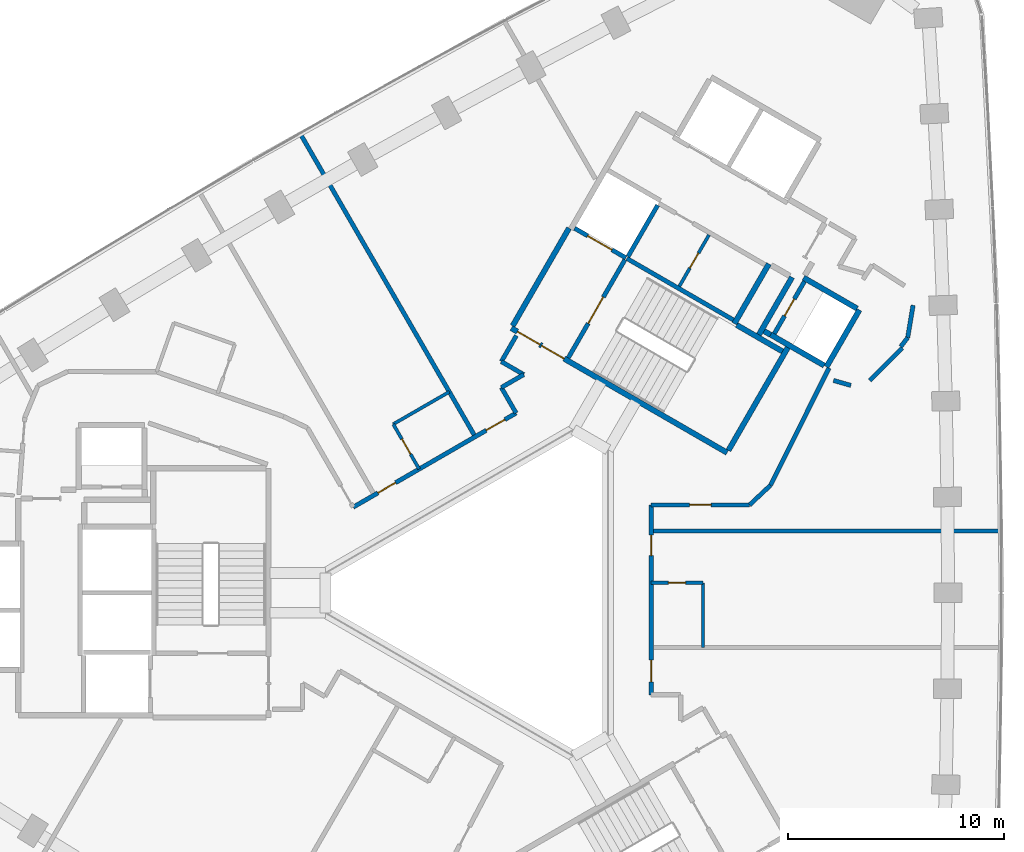
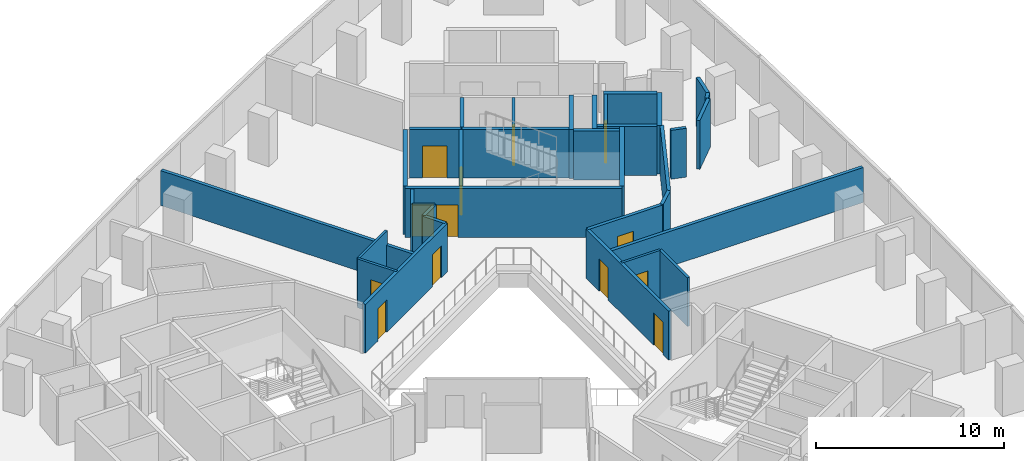
# One storey, part 10 of 12: 35 walls, 13 doors, 13 openings.
"""IFC4 building model written with IfcOpenShell, lengths in metres."""

from ifc_helpers import new_model, si_unit, direction, frame, frame_2d, origin, place, context, subcontext, project, spatial, rectangle, extrude, material, layer, layer_set, type_object, element, fill, save


model = new_model("IFC4")

# Units and contexts
model_context = context("Model", 3, precision=1e-05, world=origin(), true_north=direction((0.0, 1.0)))
body_context = subcontext(model_context, "Body", "Model", "MODEL_VIEW")
ifc_project = project(units=[si_unit("LENGTHUNIT", "METRE"), si_unit("AREAUNIT", "SQUARE_METRE"), si_unit("VOLUMEUNIT", "CUBIC_METRE"), si_unit("PLANEANGLEUNIT", "RADIAN"), si_unit("MASSUNIT", "GRAM", prefix="KILO")], contexts=[model_context])

# Site, building, storey
site_placement = place(None, origin())
site = spatial("IfcSite", under=ifc_project, at=site_placement, CompositionType="ELEMENT")
building_placement = place(site_placement, origin())
building = spatial("IfcBuilding", under=site, at=building_placement, Name="Tamra Quay Hotel Tower", CompositionType="ELEMENT")
storey_placement = place(building_placement, frame((0.0, 0.0, 93.800048828125)))
storey = spatial("IfcBuildingStorey", under=building, at=storey_placement, Name="L22", CompositionType="ELEMENT", Elevation=93.800048828125)

# Wall
ifc_material_1 = material(Name="Concrete M70", Category="concrete")
ifc_layer_1 = layer(ifc_material_1, 0.199951171875)
ifc_layer_set_1 = layer_set([ifc_layer_1], Name="Concrete M70 core wall 200")
wall_type_1 = type_object("IfcWallType", Name="Concrete M70 core wall 200", PredefinedType="SHEAR", material=ifc_layer_set_1)
wall_1_placement = place(storey_placement, frame((5.774658203125, 15.501953125, 0.0), z_axis=(0.0, 0.0, 1.0), x_axis=(0.866020080793, -0.500009219579, 0.0)))
element("IfcWall", 1, at=wall_1_placement, inside=storey, type_object=wall_type_1, Name="CW2", PredefinedType="SHEAR", context=body_context, shape_type="SweptSolid", body=[
    extrude(rectangle(XDim=5.69921875, YDim=0.199951171875, at=frame_2d((2.849609375, 0.0))), origin(), (0.0, 0.0, 1.0), 3.175048828125),
])

# Wall, opening, door
wall_2_placement = place(storey_placement, frame((3.056640625, 10.89453125, 0.0), z_axis=(0.0, 0.0, 1.0), x_axis=(0.499989418164, 0.866031513124, 0.0)))
wall_2 = element("IfcWall", 2, at=wall_2_placement, inside=storey, type_object=wall_type_1, Name="CW2", PredefinedType="SHEAR", context=body_context, shape_type="SweptSolid", body=[
    extrude(rectangle(XDim=5.2509765625, YDim=0.199951171875, at=frame_2d((2.62548828125, 0.0))), origin(), (0.0, 0.0, 1.0), 3.175048828125),
])
opening_1_placement = place(wall_2_placement, frame((1.84912109375, 0.0, 0.0)))
opening_1 = element("IfcOpeningElement", 3, at=opening_1_placement, cuts=wall_2, Name="Opening FD2", PredefinedType="OPENING", context=body_context, shape_type="SweptSolid", body=[
    extrude(rectangle(XDim=1.39990234375, YDim=2.10009765625, at=frame_2d((0.699951171875, 1.050048828125))), frame((0.0, 0.10986328125, 0.0), z_axis=(0.0, -1.0, 0.0), x_axis=(1.0, 0.0, 0.0)), (0.0, 0.0, 1.0), 0.219970703125),
])
ifc_material_2 = material(Name="Core door FD2 1400x2100 LH")
door_type_1 = type_object("IfcDoorType", Name="Core door FD2 1400x2100 LH", OperationType="NOTDEFINED", PredefinedType="DOOR", material=ifc_material_2)
door_1_placement = place(opening_1_placement, origin())
door_1 = element("IfcDoor", 4, at=door_1_placement, inside=storey, type_object=door_type_1, Name="FD2", OperationType="SINGLE_SWING_LEFT", OverallHeight=2.10009765625, OverallWidth=1.39990234375, PredefinedType="DOOR", context=body_context, shape_type="SweptSolid", body=[
    extrude(rectangle(XDim=1.39990234375, YDim=2.10009765625, at=frame_2d((0.699951171875, 1.050048828125))), frame((0.0, 0.02490234375, 0.0), z_axis=(0.0, -1.0, 0.0), x_axis=(1.0, 0.0, 0.0)), (0.0, 0.0, 1.0), 0.050048828125),
])
fill(opening_1, door_1)

wall_3_placement = place(storey_placement, frame((14.0078125, 14.442138671875, 0.0), z_axis=(0.0, 0.0, 1.0), x_axis=(-0.499986818241, -0.866033014143, 0.0)))
wall_3 = element("IfcWall", 5, at=wall_3_placement, inside=storey, type_object=wall_type_1, Name="CW2", PredefinedType="SHEAR", context=body_context, shape_type="SweptSolid", body=[
    extrude(rectangle(XDim=2.7978515625, YDim=0.199951171875, at=frame_2d((1.39892578125, 0.0))), origin(), (0.0, 0.0, 1.0), 3.175048828125),
])
opening_2_placement = place(wall_3_placement, frame((0.948974609375, 0.0, 0.0)))
opening_2 = element("IfcOpeningElement", 6, at=opening_2_placement, cuts=wall_3, Name="Opening D1", PredefinedType="OPENING", context=body_context, shape_type="SweptSolid", body=[
    extrude(rectangle(XDim=0.89990234375, YDim=2.10009765625, at=frame_2d((0.449951171875, 1.050048828125))), frame((0.0, 0.10986328125, 0.0), z_axis=(0.0, -1.0, 0.0), x_axis=(1.0, 0.0, 0.0)), (0.0, 0.0, 1.0), 0.219970703125),
])
ifc_material_3 = material(Name="Core door D1 900x2100 LH")
door_type_2 = type_object("IfcDoorType", Name="Core door D1 900x2100 LH", OperationType="NOTDEFINED", PredefinedType="DOOR", material=ifc_material_3)
door_2_placement = place(opening_2_placement, origin())
door_2 = element("IfcDoor", 7, at=door_2_placement, inside=storey, type_object=door_type_2, Name="D1", OperationType="SINGLE_SWING_LEFT", OverallHeight=2.10009765625, OverallWidth=0.89990234375, PredefinedType="DOOR", context=body_context, shape_type="SweptSolid", body=[
    extrude(rectangle(XDim=0.89990234375, YDim=2.10009765625, at=frame_2d((0.449951171875, 1.050048828125))), frame((0.0, 0.02490234375, 0.0), z_axis=(0.0, -1.0, 0.0), x_axis=(1.0, 0.0, 0.0)), (0.0, 0.0, 1.0), 0.050048828125),
])
fill(opening_2, door_2)

# Wall
wall_4_placement = place(storey_placement, frame((7.199462890625, 17.969970703125, 0.0), z_axis=(0.0, 0.0, 1.0), x_axis=(-0.499968400327, -0.866043647095, 0.0)))
element("IfcWall", 8, at=wall_4_placement, inside=storey, type_object=wall_type_1, Name="CW2", PredefinedType="SHEAR", context=body_context, shape_type="SweptSolid", body=[
    extrude(rectangle(XDim=2.749755859375, YDim=0.199951171875, at=frame_2d((1.375, 0.0))), origin(), (0.0, 0.0, 1.0), 3.175048828125),
])

# Wall, opening, door
wall_5_placement = place(storey_placement, frame((5.72509765625, 15.530517578125, 0.0), z_axis=(0.0, 0.0, 1.0), x_axis=(-0.866037306777, 0.499979382845, 0.0)))
wall_5 = element("IfcWall", 9, at=wall_5_placement, inside=storey, type_object=wall_type_1, Name="CW2", PredefinedType="SHEAR", context=body_context, shape_type="SweptSolid", body=[
    extrude(rectangle(XDim=2.74169921875, YDim=0.199951171875, at=frame_2d((1.370849609375, 0.0))), origin(), (0.0, 0.0, 1.0), 3.175048828125),
])
opening_3_placement = place(wall_5_placement, frame((0.742919921875, 0.0, 0.0)))
opening_3 = element("IfcOpeningElement", 10, at=opening_3_placement, cuts=wall_5, Name="Opening LD", PredefinedType="OPENING", context=body_context, shape_type="SweptSolid", body=[
    extrude(rectangle(XDim=1.300048828125, YDim=2.10009765625, at=frame_2d((0.64990234375, 1.050048828125))), frame((0.0, 0.10986328125, 0.0), z_axis=(0.0, -1.0, 0.0), x_axis=(1.0, 0.0, 0.0)), (0.0, 0.0, 1.0), 0.219970703125),
])
ifc_material_4 = material(Name="Landing door LD 1300 sliding to left")
door_type_3 = type_object("IfcDoorType", Name="Landing door LD 1300 sliding to left", OperationType="NOTDEFINED", PredefinedType="DOOR", material=ifc_material_4)
door_3_placement = place(opening_3_placement, origin())
door_3 = element("IfcDoor", 11, at=door_3_placement, inside=storey, type_object=door_type_3, Name="LD", OperationType="SLIDING_TO_LEFT", OverallHeight=2.10009765625, OverallWidth=1.300048828125, PredefinedType="DOOR", context=body_context, shape_type="SweptSolid", body=[
    extrude(rectangle(XDim=1.300048828125, YDim=2.10009765625, at=frame_2d((0.64990234375, 1.050048828125))), frame((0.0, 0.02490234375, 0.0), z_axis=(0.0, -1.0, 0.0), x_axis=(1.0, 0.0, 0.0)), (0.0, 0.0, 1.0), 0.050048828125),
])
fill(opening_3, door_3)

# Wall, openings, doors
ifc_layer_2 = layer(ifc_material_1, 0.25)
ifc_layer_set_2 = layer_set([ifc_layer_2], Name="Concrete M70 core wall 250")
wall_type_2 = type_object("IfcWallType", Name="Concrete M70 core wall 250", PredefinedType="SHEAR", material=ifc_layer_set_2)
wall_6_placement = place(storey_placement, frame((10.419921875, 6.497802734375, 0.0), z_axis=(0.0, 0.0, 1.0), x_axis=(-0.866021906294, 0.500006057782, 0.0)))
wall_6 = element("IfcWall", 12, at=wall_6_placement, inside=storey, type_object=wall_type_2, Name="CW1", PredefinedType="SHEAR", context=body_context, shape_type="SweptSolid", body=[
    extrude(rectangle(XDim=11.550048828125, YDim=0.25, at=frame_2d((5.77490234375, 0.0))), origin(), (0.0, 0.0, 1.0), 3.175048828125),
])
opening_4_placement = place(wall_6_placement, frame((10.02490234375, 0.0, 0.0)))
opening_4 = element("IfcOpeningElement", 13, at=opening_4_placement, cuts=wall_6, Name="Opening FD1", PredefinedType="OPENING", context=body_context, shape_type="SweptSolid", body=[
    extrude(rectangle(XDim=1.199951171875, YDim=2.10009765625, at=frame_2d((0.60009765625, 1.050048828125))), frame((0.0, 0.135009765625, 0.0), z_axis=(0.0, -1.0, 0.0), x_axis=(1.0, 0.0, 0.0)), (0.0, 0.0, 1.0), 0.27001953125),
])
opening_5_placement = place(wall_6_placement, frame((8.724853515625, 0.0, 0.0)))
opening_5 = element("IfcOpeningElement", 14, at=opening_5_placement, cuts=wall_6, Name="Opening FD1", PredefinedType="OPENING", context=body_context, shape_type="SweptSolid", body=[
    extrude(rectangle(XDim=1.199951171875, YDim=2.10009765625, at=frame_2d((0.60009765625, 1.050048828125))), frame((0.0, 0.135009765625, 0.0), z_axis=(0.0, -1.0, 0.0), x_axis=(1.0, 0.0, 0.0)), (0.0, 0.0, 1.0), 0.27001953125),
])
ifc_material_5 = material(Name="Core door FD1 1200x2100 LH")
door_type_4 = type_object("IfcDoorType", Name="Core door FD1 1200x2100 LH", OperationType="NOTDEFINED", PredefinedType="DOOR", material=ifc_material_5)
door_4_placement = place(opening_4_placement, origin())
door_4 = element("IfcDoor", 15, at=door_4_placement, inside=storey, type_object=door_type_4, Name="FD1", OperationType="SINGLE_SWING_LEFT", OverallHeight=2.10009765625, OverallWidth=1.199951171875, PredefinedType="DOOR", context=body_context, shape_type="SweptSolid", body=[
    extrude(rectangle(XDim=1.199951171875, YDim=2.10009765625, at=frame_2d((0.60009765625, 1.050048828125))), frame((0.0, 0.02490234375, 0.0), z_axis=(0.0, -1.0, 0.0), x_axis=(1.0, 0.0, 0.0)), (0.0, 0.0, 1.0), 0.050048828125),
])
fill(opening_4, door_4)
ifc_material_6 = material(Name="Core door FD1 1200x2100 RH")
door_type_5 = type_object("IfcDoorType", Name="Core door FD1 1200x2100 RH", OperationType="NOTDEFINED", PredefinedType="DOOR", material=ifc_material_6)
door_5_placement = place(opening_5_placement, origin())
door_5 = element("IfcDoor", 16, at=door_5_placement, inside=storey, type_object=door_type_5, Name="FD1", OperationType="SINGLE_SWING_RIGHT", OverallHeight=2.10009765625, OverallWidth=1.199951171875, PredefinedType="DOOR", context=body_context, shape_type="SweptSolid", body=[
    extrude(rectangle(XDim=1.199951171875, YDim=2.10009765625, at=frame_2d((0.60009765625, 1.050048828125))), frame((0.0, 0.02490234375, 0.0), z_axis=(0.0, -1.0, 0.0), x_axis=(1.0, 0.0, 0.0)), (0.0, 0.0, 1.0), 0.050048828125),
])
fill(opening_5, door_5)

# Walls
wall_7_placement = place(storey_placement, frame((0.47998046875, 12.38134765625, 0.0), z_axis=(0.0, 0.0, 1.0), x_axis=(0.49999885962, 0.866026062182, 0.0)))
element("IfcWall", 17, at=wall_7_placement, inside=storey, type_object=wall_type_2, Name="CW1", PredefinedType="SHEAR", context=body_context, shape_type="SweptSolid", body=[
    extrude(rectangle(XDim=5.224609375, YDim=0.25, at=frame_2d((2.6123046875, 0.0))), origin(), (0.0, 0.0, 1.0), 3.175048828125),
])
wall_8_placement = place(storey_placement, frame((13.237548828125, 11.3779296875, 0.0), z_axis=(0.0, 0.0, 1.0), x_axis=(-0.500008851346, -0.866020293397, 0.0)))
element("IfcWall", 18, at=wall_8_placement, inside=storey, type_object=wall_type_2, Name="CW1", PredefinedType="SHEAR", context=body_context, shape_type="SweptSolid", body=[
    extrude(rectangle(XDim=5.509765625, YDim=0.25, at=frame_2d((2.7548828125, 0.0))), origin(), (0.0, 0.0, 1.0), 3.175048828125),
])
wall_9_placement = place(storey_placement, frame((12.356689453125, 15.25244140625, 0.0), z_axis=(0.0, 0.0, 1.0), x_axis=(-0.500028443584, -0.866008981251, 0.0)))
element("IfcWall", 19, at=wall_9_placement, inside=storey, type_object=wall_type_2, Name="CW1", PredefinedType="SHEAR", context=body_context, shape_type="SweptSolid", body=[
    extrude(rectangle(XDim=3.199951171875, YDim=0.25, at=frame_2d((1.60009765625, 0.0))), origin(), (0.0, 0.0, 1.0), 3.175048828125),
])
wall_10_placement = place(storey_placement, frame((16.552001953125, 13.118896484375, 0.0), z_axis=(0.0, 0.0, 1.0), x_axis=(-0.499978833458, -0.866037623948, 0.0)))
element("IfcWall", 20, at=wall_10_placement, inside=storey, type_object=wall_type_2, Name="CW1", PredefinedType="SHEAR", context=body_context, shape_type="SweptSolid", body=[
    extrude(rectangle(XDim=3.050048828125, YDim=0.25, at=frame_2d((1.52490234375, 0.0))), origin(), (0.0, 0.0, 1.0), 3.175048828125),
])
wall_11_placement = place(storey_placement, frame((14.91845703125, 10.540283203125, 0.0), z_axis=(0.0, 0.0, 1.0), x_axis=(-0.866063538972, 0.499933942099, 0.0)))
element("IfcWall", 21, at=wall_11_placement, inside=storey, type_object=wall_type_2, Name="CW1", PredefinedType="SHEAR", context=body_context, shape_type="SweptSolid", body=[
    extrude(rectangle(XDim=2.86474609375, YDim=0.25, at=frame_2d((1.432373046875, 0.0))), origin(), (0.0, 0.0, 1.0), 3.175048828125),
])
wall_12_placement = place(storey_placement, frame((13.962646484375, 14.61376953125, 0.0), z_axis=(0.0, 0.0, 1.0), x_axis=(0.866042235819, -0.499970844928, 0.0)))
element("IfcWall", 22, at=wall_12_placement, inside=storey, type_object=wall_type_2, Name="CW1", PredefinedType="SHEAR", context=body_context, shape_type="SweptSolid", body=[
    extrude(rectangle(XDim=2.864501953125, YDim=0.25, at=frame_2d((1.43212890625, 0.0))), origin(), (0.0, 0.0, 1.0), 3.175048828125),
])
wall_13_placement = place(storey_placement, frame((11.887939453125, 11.960693359375, 0.0), z_axis=(0.0, 0.0, 1.0), x_axis=(0.500003324108, 0.866023484601, 0.0)))
element("IfcWall", 23, at=wall_13_placement, inside=storey, type_object=wall_type_2, Name="CW1", PredefinedType="SHEAR", context=body_context, shape_type="SweptSolid", body=[
    extrude(rectangle(XDim=3.0849609375, YDim=0.25, at=frame_2d((1.54248046875, 0.0))), origin(), (0.0, 0.0, 1.0), 3.175048828125),
])
wall_14_placement = place(storey_placement, frame((10.865234375, 12.41845703125, 0.0), z_axis=(0.0, 0.0, 1.0), x_axis=(0.866026229868, -0.499998569178, 0.0)))
element("IfcWall", 24, at=wall_14_placement, inside=storey, type_object=wall_type_2, Name="CW1", PredefinedType="SHEAR", context=body_context, shape_type="SweptSolid", body=[
    extrude(rectangle(XDim=2.44921875, YDim=0.25, at=frame_2d((1.224609375, 0.0))), origin(), (0.0, 0.0, 1.0), 3.175048828125),
])
wall_15_placement = place(storey_placement, frame((12.4326171875, 11.9638671875, 0.0), z_axis=(0.0, 0.0, 1.0), x_axis=(-0.866055875208, 0.499947218231, 0.0)))
element("IfcWall", 25, at=wall_15_placement, inside=storey, type_object=wall_type_2, Name="CW1", PredefinedType="SHEAR", context=body_context, shape_type="SweptSolid", body=[
    extrude(rectangle(XDim=0.3447265625, YDim=0.25, at=frame_2d((0.17236328125, 0.0))), origin(), (0.0, 0.0, 1.0), 3.175048828125),
])

# Wall, opening, door
ifc_material_7 = material(Name="Blockwork", Category="masonry")
ifc_layer_3 = layer(ifc_material_7, 0.14990234375)
ifc_layer_set_3 = layer_set([ifc_layer_3], Name="Core partition block 150")
wall_type_3 = type_object("IfcWallType", Name="Core partition block 150", PredefinedType="PARTITIONING", material=ifc_layer_set_3)
wall_16_placement = place(storey_placement, frame((8.20654296875, 14.214111328125, 0.0), z_axis=(0.0, 0.0, 1.0), x_axis=(0.499922376475, 0.866070215109, 0.0)))
wall_16 = element("IfcWall", 26, at=wall_16_placement, inside=storey, type_object=wall_type_3, Name="CP1", PredefinedType="PARTITIONING", context=body_context, shape_type="SweptSolid", body=[
    extrude(rectangle(XDim=2.74853515625, YDim=0.14990234375, at=frame_2d((1.374267578125, 0.0))), origin(), (0.0, 0.0, 1.0), 3.175048828125),
])
opening_6_placement = place(wall_16_placement, frame((0.97412109375, 0.0, 0.0)))
opening_6 = element("IfcOpeningElement", 27, at=opening_6_placement, cuts=wall_16, Name="Opening D3", PredefinedType="OPENING", context=body_context, shape_type="SweptSolid", body=[
    extrude(rectangle(XDim=0.800048828125, YDim=2.10009765625, at=frame_2d((0.39990234375, 1.050048828125))), frame((0.0, 0.0849609375, 0.0), z_axis=(0.0, -1.0, 0.0), x_axis=(1.0, 0.0, 0.0)), (0.0, 0.0, 1.0), 0.169921875),
])
ifc_material_8 = material(Name="Core door D3 800x2100 RH")
door_type_6 = type_object("IfcDoorType", Name="Core door D3 800x2100 RH", OperationType="NOTDEFINED", PredefinedType="DOOR", material=ifc_material_8)
door_6_placement = place(opening_6_placement, origin())
door_6 = element("IfcDoor", 28, at=door_6_placement, inside=storey, type_object=door_type_6, Name="D3", OperationType="SINGLE_SWING_RIGHT", OverallHeight=2.10009765625, OverallWidth=0.800048828125, PredefinedType="DOOR", context=body_context, shape_type="SweptSolid", body=[
    extrude(rectangle(XDim=0.800048828125, YDim=2.10009765625, at=frame_2d((0.39990234375, 1.050048828125))), frame((0.0, 0.02490234375, 0.0), z_axis=(0.0, -1.0, 0.0), x_axis=(1.0, 0.0, 0.0)), (0.0, 0.0, 1.0), 0.050048828125),
])
fill(opening_6, door_6)

# Wall, openings, doors
ifc_material_9 = material(Name="Partition corridor wall")
ifc_layer_4 = layer(ifc_material_9, 0.199951171875)
ifc_layer_set_4 = layer_set([ifc_layer_4], Name="Partition corridor wall")
wall_type_4 = type_object("IfcWallType", Name="Partition corridor wall", PredefinedType="PARTITIONING", material=ifc_layer_set_4)
wall_17_placement = place(storey_placement, frame((-6.909912109375, 3.975341796875, 0.0), z_axis=(0.0, 0.0, 1.0), x_axis=(0.865912245405, 0.500195944863, 0.0)))
wall_17 = element("IfcWall", 29, at=wall_17_placement, inside=storey, type_object=wall_type_4, Name="W-C", PredefinedType="PARTITIONING", context=body_context, shape_type="SweptSolid", body=[
    extrude(rectangle(XDim=8.7177734375, YDim=0.199951171875, at=frame_2d((4.35888671875, 0.0))), origin(), (0.0, 0.0, 1.0), 3.175048828125),
])
opening_7_placement = place(wall_17_placement, frame((7.117431640625, 0.0, 0.0)))
opening_7 = element("IfcOpeningElement", 30, at=opening_7_placement, cuts=wall_17, Name="Opening L22-D005", PredefinedType="OPENING", context=body_context, shape_type="SweptSolid", body=[
    extrude(rectangle(XDim=1.0, YDim=2.10009765625, at=frame_2d((0.5, 1.050048828125))), frame((0.0, 0.10986328125, 0.0), z_axis=(0.0, -1.0, 0.0), x_axis=(1.0, 0.0, 0.0)), (0.0, 0.0, 1.0), 0.219970703125),
])
opening_8_placement = place(wall_17_placement, frame((1.31689453125, 0.0, 0.0)))
opening_8 = element("IfcOpeningElement", 31, at=opening_8_placement, cuts=wall_17, Name="Opening L22-D006", PredefinedType="OPENING", context=body_context, shape_type="SweptSolid", body=[
    extrude(rectangle(XDim=0.949951171875, YDim=2.10009765625, at=frame_2d((0.47509765625, 1.050048828125))), frame((0.0, 0.10986328125, 0.0), z_axis=(0.0, -1.0, 0.0), x_axis=(1.0, 0.0, 0.0)), (0.0, 0.0, 1.0), 0.219970703125),
])
ifc_material_10 = material(Name="Door guest room 1000x2100")
door_type_7 = type_object("IfcDoorType", Name="Door guest room 1000x2100", OperationType="NOTDEFINED", PredefinedType="DOOR", material=ifc_material_10)
door_7_placement = place(opening_7_placement, origin())
door_7 = element("IfcDoor", 32, at=door_7_placement, inside=storey, type_object=door_type_7, Name="L22-D005", OperationType="SINGLE_SWING_LEFT", OverallHeight=2.10009765625, OverallWidth=1.0, PredefinedType="DOOR", context=body_context, shape_type="SweptSolid", body=[
    extrude(rectangle(XDim=1.0, YDim=2.10009765625, at=frame_2d((0.5, 1.050048828125))), frame((0.0, 0.02490234375, 0.0), z_axis=(0.0, -1.0, 0.0), x_axis=(1.0, 0.0, 0.0)), (0.0, 0.0, 1.0), 0.050048828125),
])
fill(opening_7, door_7)
ifc_material_11 = material(Name="Door guest room 950x2100")
door_type_8 = type_object("IfcDoorType", Name="Door guest room 950x2100", OperationType="NOTDEFINED", PredefinedType="DOOR", material=ifc_material_11)
door_8_placement = place(opening_8_placement, origin())
door_8 = element("IfcDoor", 33, at=door_8_placement, inside=storey, type_object=door_type_8, Name="L22-D006", OperationType="SINGLE_SWING_LEFT", OverallHeight=2.10009765625, OverallWidth=0.949951171875, PredefinedType="DOOR", context=body_context, shape_type="SweptSolid", body=[
    extrude(rectangle(XDim=0.949951171875, YDim=2.10009765625, at=frame_2d((0.47509765625, 1.050048828125))), frame((0.0, 0.02490234375, 0.0), z_axis=(0.0, -1.0, 0.0), x_axis=(1.0, 0.0, 0.0)), (0.0, 0.0, 1.0), 0.050048828125),
])
fill(opening_8, door_8)

# Walls
wall_18_placement = place(storey_placement, frame((-0.044921875, 9.52099609375, 0.0), z_axis=(0.0, 0.0, 1.0), x_axis=(0.499804837697, -0.866138051476, 0.0)))
element("IfcWall", 34, at=wall_18_placement, inside=storey, type_object=wall_type_4, Name="W-C", PredefinedType="PARTITIONING", context=body_context, shape_type="SweptSolid", body=[
    extrude(rectangle(XDim=1.3681640625, YDim=0.199951171875, at=frame_2d((0.68408203125, 0.0))), origin(), (0.0, 0.0, 1.0), 3.175048828125),
])
wall_19_placement = place(storey_placement, frame((-0.044921875, 9.52197265625, 0.0), z_axis=(0.0, 0.0, 1.0), x_axis=(0.86625675314, 0.499599076899, 0.0)))
element("IfcWall", 35, at=wall_19_placement, inside=storey, type_object=wall_type_4, Name="W-C", PredefinedType="PARTITIONING", context=body_context, shape_type="SweptSolid", body=[
    extrude(rectangle(XDim=1.19921875, YDim=0.199951171875, at=frame_2d((0.599609375, 0.0))), origin(), (0.0, 0.0, 1.0), 3.175048828125),
])
wall_20_placement = place(storey_placement, frame((-0.044921875, 10.721923828125, 0.0), z_axis=(0.0, 0.0, 1.0), x_axis=(0.500107785535, 0.865963164833, 0.0)))
element("IfcWall", 36, at=wall_20_placement, inside=storey, type_object=wall_type_4, Name="W-C", PredefinedType="PARTITIONING", context=body_context, shape_type="SweptSolid", body=[
    extrude(rectangle(XDim=1.389404296875, YDim=0.199951171875, at=frame_2d((0.69482421875, 0.0))), origin(), (0.0, 0.0, 1.0), 3.175048828125),
])
wall_21_placement = place(storey_placement, frame((-0.044921875, 10.720947265625, 0.0), z_axis=(0.0, 0.0, 1.0), x_axis=(0.865992388649, -0.500057179532, 0.0)))
element("IfcWall", 37, at=wall_21_placement, inside=storey, type_object=wall_type_4, Name="W-C", PredefinedType="PARTITIONING", context=body_context, shape_type="SweptSolid", body=[
    extrude(rectangle(XDim=1.199462890625, YDim=0.199951171875, at=frame_2d((0.599609375, 0.0))), origin(), (0.0, 0.0, 1.0), 3.175048828125),
])

# Wall, openings, doors
wall_22_placement = place(storey_placement, frame((6.89990234375, -4.720947265625, 0.0), z_axis=(0.0, 0.0, 1.0), x_axis=(0.0, 1.0, 0.0)))
wall_22 = element("IfcWall", 38, at=wall_22_placement, inside=storey, type_object=wall_type_4, Name="W-C", PredefinedType="PARTITIONING", context=body_context, shape_type="SweptSolid", body=[
    extrude(rectangle(XDim=8.798828125, YDim=0.199951171875, at=frame_2d((4.3994140625, 0.0))), origin(), (0.0, 0.0, 1.0), 3.175048828125),
])
opening_9_placement = place(wall_22_placement, frame((0.6005859375, 0.0, 0.0)))
opening_9 = element("IfcOpeningElement", 39, at=opening_9_placement, cuts=wall_22, Name="Opening L22-D001", PredefinedType="OPENING", context=body_context, shape_type="SweptSolid", body=[
    extrude(rectangle(XDim=1.0, YDim=2.10009765625, at=frame_2d((0.5, 1.050048828125))), frame((0.0, 0.10986328125, 0.0), z_axis=(0.0, -1.0, 0.0), x_axis=(1.0, 0.0, 0.0)), (0.0, 0.0, 1.0), 0.219970703125),
])
opening_10_placement = place(wall_22_placement, frame((6.450927734375, 0.0, 0.0)))
opening_10 = element("IfcOpeningElement", 40, at=opening_10_placement, cuts=wall_22, Name="Opening L22-D002", PredefinedType="OPENING", context=body_context, shape_type="SweptSolid", body=[
    extrude(rectangle(XDim=0.949951171875, YDim=2.10009765625, at=frame_2d((0.47509765625, 1.050048828125))), frame((0.0, 0.10986328125, 0.0), z_axis=(0.0, -1.0, 0.0), x_axis=(1.0, 0.0, 0.0)), (0.0, 0.0, 1.0), 0.219970703125),
])
door_9_placement = place(opening_9_placement, frame((1.0, 0.0, 0.0), z_axis=(0.0, 0.0, 1.0), x_axis=(-1.0, 0.0, 0.0)))
door_9 = element("IfcDoor", 41, at=door_9_placement, inside=storey, type_object=door_type_7, Name="L22-D001", OperationType="SINGLE_SWING_LEFT", OverallHeight=2.10009765625, OverallWidth=1.0, PredefinedType="DOOR", context=body_context, shape_type="SweptSolid", body=[
    extrude(rectangle(XDim=1.0, YDim=2.10009765625, at=frame_2d((0.5, 1.050048828125))), frame((0.0, 0.02490234375, 0.0), z_axis=(0.0, -1.0, 0.0), x_axis=(1.0, 0.0, 0.0)), (0.0, 0.0, 1.0), 0.050048828125),
])
fill(opening_9, door_9)
door_10_placement = place(opening_10_placement, frame((0.949951171875, 0.0, 0.0), z_axis=(0.0, 0.0, 1.0), x_axis=(-1.0, 0.0, 0.0)))
door_10 = element("IfcDoor", 42, at=door_10_placement, inside=storey, type_object=door_type_8, Name="L22-D002", OperationType="SINGLE_SWING_LEFT", OverallHeight=2.10009765625, OverallWidth=0.949951171875, PredefinedType="DOOR", context=body_context, shape_type="SweptSolid", body=[
    extrude(rectangle(XDim=0.949951171875, YDim=2.10009765625, at=frame_2d((0.47509765625, 1.050048828125))), frame((0.0, 0.02490234375, 0.0), z_axis=(0.0, -1.0, 0.0), x_axis=(1.0, 0.0, 0.0)), (0.0, 0.0, 1.0), 0.050048828125),
])
fill(opening_10, door_10)

# Wall, opening, door
wall_23_placement = place(storey_placement, frame((6.89990234375, 4.077880859375, 0.0), z_axis=(0.0, 0.0, 1.0), x_axis=(1.0, 0.0, 0.0)))
wall_23 = element("IfcWall", 43, at=wall_23_placement, inside=storey, type_object=wall_type_4, Name="W-C", PredefinedType="PARTITIONING", context=body_context, shape_type="SweptSolid", body=[
    extrude(rectangle(XDim=4.55810546875, YDim=0.199951171875, at=frame_2d((2.279052734375, 0.0))), origin(), (0.0, 0.0, 1.0), 3.175048828125),
])
opening_11_placement = place(wall_23_placement, frame((1.779052734375, 0.0, 0.0)))
opening_11 = element("IfcOpeningElement", 44, at=opening_11_placement, cuts=wall_23, Name="Opening L22-D004", PredefinedType="OPENING", context=body_context, shape_type="SweptSolid", body=[
    extrude(rectangle(XDim=1.0, YDim=2.10009765625, at=frame_2d((0.5, 1.050048828125))), frame((0.0, 0.10986328125, 0.0), z_axis=(0.0, -1.0, 0.0), x_axis=(1.0, 0.0, 0.0)), (0.0, 0.0, 1.0), 0.219970703125),
])
door_11_placement = place(opening_11_placement, origin())
door_11 = element("IfcDoor", 45, at=door_11_placement, inside=storey, type_object=door_type_7, Name="L22-D004", OperationType="SINGLE_SWING_LEFT", OverallHeight=2.10009765625, OverallWidth=1.0, PredefinedType="DOOR", context=body_context, shape_type="SweptSolid", body=[
    extrude(rectangle(XDim=1.0, YDim=2.10009765625, at=frame_2d((0.5, 1.050048828125))), frame((0.0, 0.02490234375, 0.0), z_axis=(0.0, -1.0, 0.0), x_axis=(1.0, 0.0, 0.0)), (0.0, 0.0, 1.0), 0.050048828125),
])
fill(opening_11, door_11)

# Walls
wall_24_placement = place(storey_placement, frame((11.4580078125, 4.077880859375, 0.0), z_axis=(0.0, 0.0, 1.0), x_axis=(0.729936032318, 0.683515463412, 0.0)))
element("IfcWall", 46, at=wall_24_placement, inside=storey, type_object=wall_type_4, Name="W-C", PredefinedType="PARTITIONING", context=body_context, shape_type="SweptSolid", body=[
    extrude(rectangle(XDim=1.3359375, YDim=0.199951171875, at=frame_2d((0.66796875, 0.0))), origin(), (0.0, 0.0, 1.0), 3.175048828125),
])
wall_25_placement = place(storey_placement, frame((12.43310546875, 4.991943359375, 0.0), z_axis=(0.0, 0.0, 1.0), x_axis=(0.446086961868, 0.894989621421, 0.0)))
element("IfcWall", 47, at=wall_25_placement, inside=storey, type_object=wall_type_4, Name="W-C", PredefinedType="PARTITIONING", context=body_context, shape_type="SweptSolid", body=[
    extrude(rectangle(XDim=6.069580078125, YDim=0.199951171875, at=frame_2d((3.03466796875, 0.0))), origin(), (0.0, 0.0, 1.0), 3.175048828125),
])
wall_26_placement = place(storey_placement, frame((15.35009765625, 9.846923828125, 0.0), z_axis=(0.0, 0.0, 1.0), x_axis=(0.961699438983, -0.274106163849, 0.0)))
element("IfcWall", 48, at=wall_26_placement, inside=storey, type_object=wall_type_4, Name="W-C", PredefinedType="PARTITIONING", context=body_context, shape_type="SweptSolid", body=[
    extrude(rectangle(XDim=0.839111328125, YDim=0.199951171875, at=frame_2d((0.41943359375, 0.0))), origin(), (0.0, 0.0, 1.0), 3.175048828125),
])
wall_27_placement = place(storey_placement, frame((17.041015625, 9.845947265625, 0.0), z_axis=(0.0, 0.0, 1.0), x_axis=(0.70687649077, 0.707336996627, 0.0)))
element("IfcWall", 49, at=wall_27_placement, inside=storey, type_object=wall_type_4, Name="W-C", PredefinedType="PARTITIONING", context=body_context, shape_type="SweptSolid", body=[
    extrude(rectangle(XDim=2.12060546875, YDim=0.199951171875, at=frame_2d((1.060302734375, 0.0))), origin(), (0.0, 0.0, 1.0), 3.175048828125),
])
wall_28_placement = place(storey_placement, frame((18.791015625, 11.833984375, 0.0), z_axis=(0.0, 0.0, 1.0), x_axis=(0.164294914443, 0.986411263667, 0.0)))
element("IfcWall", 50, at=wall_28_placement, inside=storey, type_object=wall_type_4, Name="W-C", PredefinedType="PARTITIONING", context=body_context, shape_type="SweptSolid", body=[
    extrude(rectangle(XDim=1.521728515625, YDim=0.199951171875, at=frame_2d((0.7607421875, 0.0))), origin(), (0.0, 0.0, 1.0), 3.175048828125),
])
wall_29_placement = place(storey_placement, frame((18.791015625, 11.833984375, 0.0), z_axis=(0.0, 0.0, 1.0), x_axis=(-0.610695554896, -0.791865480514, 0.0)))
element("IfcWall", 51, at=wall_29_placement, inside=storey, type_object=wall_type_4, Name="W-C", PredefinedType="PARTITIONING", context=body_context, shape_type="SweptSolid", body=[
    extrude(rectangle(XDim=0.52685546875, YDim=0.199951171875, at=frame_2d((0.263427734375, 0.0))), origin(), (0.0, 0.0, 1.0), 3.175048828125),
])

# Wall, opening, door
ifc_material_12 = material(Name="Partition en-suite wall")
ifc_layer_5 = layer(ifc_material_12, 0.14990234375)
ifc_layer_set_5 = layer_set([ifc_layer_5], Name="Partition en-suite wall")
wall_type_5 = type_object("IfcWallType", Name="Partition en-suite wall", PredefinedType="PARTITIONING", material=ifc_layer_set_5)
wall_30_placement = place(storey_placement, frame((-5.054931640625, 7.821044921875, 0.0), z_axis=(0.0, 0.0, 1.0), x_axis=(0.499869187296, -0.866100915363, 0.0)))
wall_30 = element("IfcWall", 52, at=wall_30_placement, inside=storey, type_object=wall_type_5, Name="W-E", PredefinedType="PARTITIONING", context=body_context, shape_type="SweptSolid", body=[
    extrude(rectangle(XDim=2.400634765625, YDim=0.14990234375, at=frame_2d((1.2001953125, 0.0))), origin(), (0.0, 0.0, 1.0), 3.175048828125),
])
opening_12_placement = place(wall_30_placement, frame((0.80029296875, 0.0, 0.0)))
opening_12 = element("IfcOpeningElement", 53, at=opening_12_placement, cuts=wall_30, Name="Opening L22-D007", PredefinedType="OPENING", context=body_context, shape_type="SweptSolid", body=[
    extrude(rectangle(XDim=0.800048828125, YDim=2.10009765625, at=frame_2d((0.39990234375, 1.050048828125))), frame((0.0, 0.0849609375, 0.0), z_axis=(0.0, -1.0, 0.0), x_axis=(1.0, 0.0, 0.0)), (0.0, 0.0, 1.0), 0.169921875),
])
ifc_material_13 = material(Name="Door en-suite 800x2100")
door_type_9 = type_object("IfcDoorType", Name="Door en-suite 800x2100", OperationType="NOTDEFINED", PredefinedType="DOOR", material=ifc_material_13)
door_12_placement = place(opening_12_placement, origin())
door_12 = element("IfcDoor", 54, at=door_12_placement, inside=storey, type_object=door_type_9, Name="L22-D007", OperationType="SINGLE_SWING_LEFT", OverallHeight=2.10009765625, OverallWidth=0.800048828125, PredefinedType="DOOR", context=body_context, shape_type="SweptSolid", body=[
    extrude(rectangle(XDim=0.800048828125, YDim=2.10009765625, at=frame_2d((0.39990234375, 1.050048828125))), frame((0.0, 0.02490234375, 0.0), z_axis=(0.0, -1.0, 0.0), x_axis=(1.0, 0.0, 0.0)), (0.0, 0.0, 1.0), 0.050048828125),
])
fill(opening_12, door_12)

# Wall
wall_31_placement = place(storey_placement, frame((-5.054931640625, 7.821044921875, 0.0), z_axis=(0.0, 0.0, 1.0), x_axis=(0.86615170604, 0.49978117424, 0.0)))
element("IfcWall", 55, at=wall_31_placement, inside=storey, type_object=wall_type_5, Name="W-E", PredefinedType="PARTITIONING", context=body_context, shape_type="SweptSolid", body=[
    extrude(rectangle(XDim=2.999267578125, YDim=0.14990234375, at=frame_2d((1.49951171875, 0.0))), origin(), (0.0, 0.0, 1.0), 3.175048828125),
])

# Wall, opening, door
wall_32_placement = place(storey_placement, frame((6.89990234375, 0.468017578125, 0.0), z_axis=(0.0, 0.0, 1.0), x_axis=(1.0, 0.0, 0.0)))
wall_32 = element("IfcWall", 56, at=wall_32_placement, inside=storey, type_object=wall_type_5, Name="W-E", PredefinedType="PARTITIONING", context=body_context, shape_type="SweptSolid", body=[
    extrude(rectangle(XDim=2.400146484375, YDim=0.14990234375, at=frame_2d((1.2001953125, 0.0))), origin(), (0.0, 0.0, 1.0), 3.175048828125),
])
opening_13_placement = place(wall_32_placement, frame((0.800048828125, 0.0, 0.0)))
opening_13 = element("IfcOpeningElement", 57, at=opening_13_placement, cuts=wall_32, Name="Opening L22-D003", PredefinedType="OPENING", context=body_context, shape_type="SweptSolid", body=[
    extrude(rectangle(XDim=0.800048828125, YDim=2.10009765625, at=frame_2d((0.39990234375, 1.050048828125))), frame((0.0, 0.0849609375, 0.0), z_axis=(0.0, -1.0, 0.0), x_axis=(1.0, 0.0, 0.0)), (0.0, 0.0, 1.0), 0.169921875),
])
door_13_placement = place(opening_13_placement, frame((0.800048828125, 0.0, 0.0), z_axis=(0.0, 0.0, 1.0), x_axis=(-1.0, 0.0, 0.0)))
door_13 = element("IfcDoor", 58, at=door_13_placement, inside=storey, type_object=door_type_9, Name="L22-D003", OperationType="SINGLE_SWING_LEFT", OverallHeight=2.10009765625, OverallWidth=0.800048828125, PredefinedType="DOOR", context=body_context, shape_type="SweptSolid", body=[
    extrude(rectangle(XDim=0.800048828125, YDim=2.10009765625, at=frame_2d((0.39990234375, 1.050048828125))), frame((0.0, 0.02490234375, 0.0), z_axis=(0.0, -1.0, 0.0), x_axis=(1.0, 0.0, 0.0)), (0.0, 0.0, 1.0), 0.050048828125),
])
fill(opening_13, door_13)

# Walls
wall_33_placement = place(storey_placement, frame((9.300048828125, -2.531982421875, 0.0), z_axis=(0.0, 0.0, 1.0), x_axis=(0.0, 1.0, 0.0)))
element("IfcWall", 59, at=wall_33_placement, inside=storey, type_object=wall_type_5, Name="W-E", PredefinedType="PARTITIONING", context=body_context, shape_type="SweptSolid", body=[
    extrude(rectangle(XDim=3.0, YDim=0.14990234375, at=frame_2d((1.5, 0.0))), origin(), (0.0, 0.0, 1.0), 3.175048828125),
])
ifc_material_14 = material(Name="Partition party wall")
ifc_layer_6 = layer(ifc_material_14, 0.199951171875)
ifc_layer_set_6 = layer_set([ifc_layer_6], Name="Partition party wall")
wall_type_6 = type_object("IfcWallType", Name="Partition party wall", PredefinedType="PARTITIONING", material=ifc_layer_set_6)
wall_34_placement = place(storey_placement, frame((-9.36962890625, 21.293212890625, 0.0), z_axis=(0.0, 0.0, 1.0), x_axis=(0.500012069024, -0.866018435618, 0.0)))
element("IfcWall", 60, at=wall_34_placement, inside=storey, type_object=wall_type_6, Name="W-P", PredefinedType="PARTITIONING", context=body_context, shape_type="SweptSolid", body=[
    extrude(rectangle(XDim=16.2236328125, YDim=0.199951171875, at=frame_2d((8.11181640625, 0.0))), origin(), (0.0, 0.0, 1.0), 2.27490234375),
])
wall_35_placement = place(storey_placement, frame((6.89990234375, 2.867919921875, 0.0), z_axis=(0.0, 0.0, 1.0), x_axis=(1.0, 0.0, 0.0)))
element("IfcWall", 61, at=wall_35_placement, inside=storey, type_object=wall_type_6, Name="W-P", PredefinedType="PARTITIONING", context=body_context, shape_type="SweptSolid", body=[
    extrude(rectangle(XDim=16.223388671875, YDim=0.199951171875, at=frame_2d((8.11181640625, 0.0))), origin(), (0.0, 0.0, 1.0), 2.27490234375),
])

save(model, "model.ifc")
